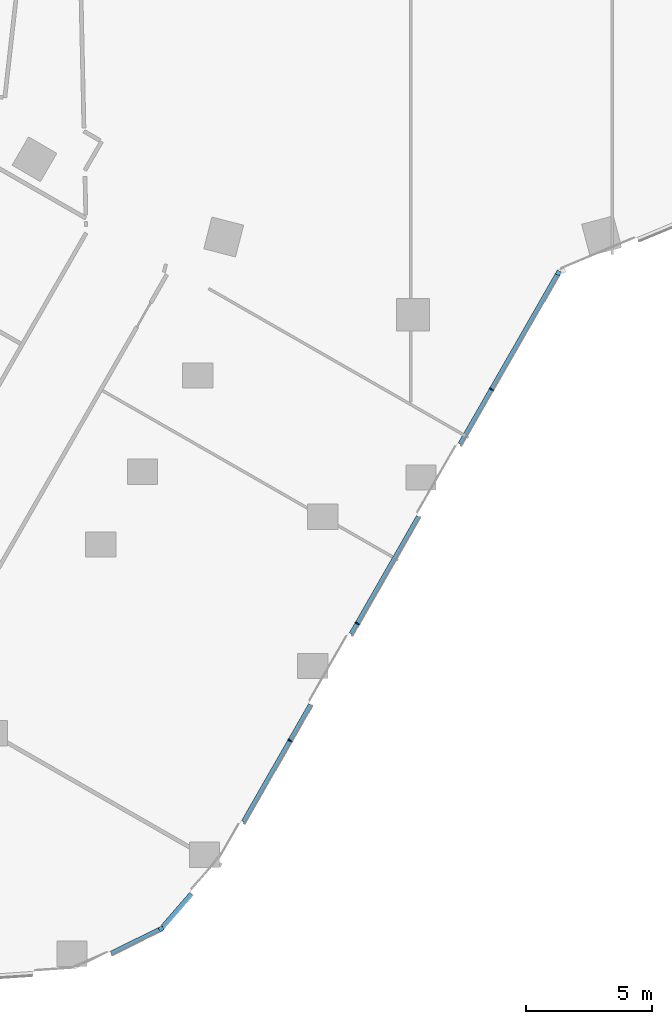
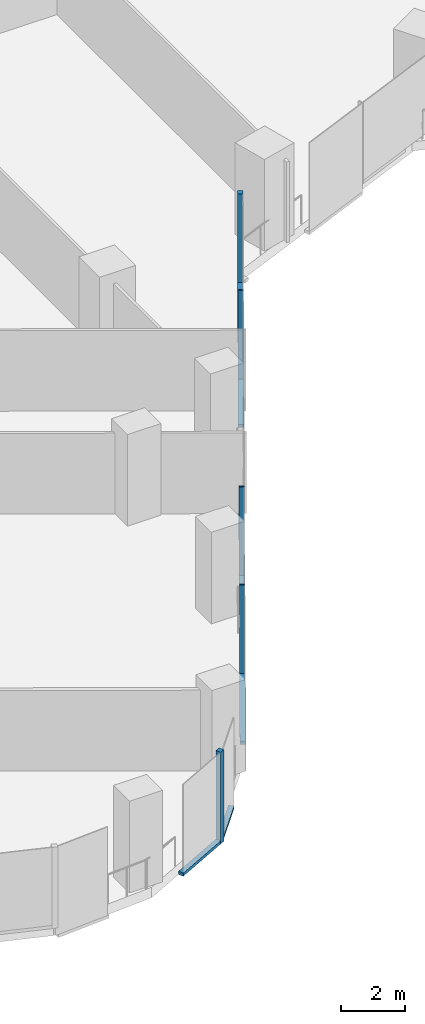
# One storey, part 4 of 34: 10 members, 3 elements without a shape of their own.
"""IFC4 building model written with IfcOpenShell, lengths in metres."""

from ifc_helpers import new_model, si_unit, direction, frame, origin, origin_2d, place, context, subcontext, project, spatial, rectangle, extrude, material, material_profile, profile_set, type_object, element, aggregate, save


model = new_model("IFC4")

# Units and contexts
model_context = context("Model", 3, precision=1e-05, world=origin(), true_north=direction((0.0, 1.0)))
body_context = subcontext(model_context, "Body", "Model", "MODEL_VIEW")
ifc_project = project(units=[si_unit("LENGTHUNIT", "METRE"), si_unit("AREAUNIT", "SQUARE_METRE"), si_unit("VOLUMEUNIT", "CUBIC_METRE"), si_unit("PLANEANGLEUNIT", "RADIAN"), si_unit("MASSUNIT", "GRAM", prefix="KILO")], contexts=[model_context])

# Site, building, storey
site_placement = place(None, origin())
site = spatial("IfcSite", under=ifc_project, at=site_placement, CompositionType="ELEMENT")
building_placement = place(site_placement, origin())
building = spatial("IfcBuilding", under=site, at=building_placement, Name="Orlundy Tower", CompositionType="ELEMENT")
storey_placement = place(building_placement, frame((0.0, 0.0, 102.199951171875)))
storey = spatial("IfcBuildingStorey", under=building, at=storey_placement, Name="L25", CompositionType="ELEMENT", Elevation=102.199951171875)

# Curtain wall, member
ifc_material_1 = material(Name="Aluminium bronze anodised", Category="aluminium")
curtain_wall_type = type_object("IfcCurtainWallType", Name="CW1 wall", PredefinedType="NOTDEFINED", material=ifc_material_1)
curtain_wall_1_placement = place(storey_placement, origin())
curtain_wall_1 = element("IfcCurtainWall", 1, at=curtain_wall_1_placement, inside=storey, type_object=curtain_wall_type, Name="CW1 run 02", PredefinedType="NOTDEFINED")
ifc_material_2 = material(Name="Aluminium bronze anodised", Category="aluminium")
ifc_material_profile_1 = material_profile(ifc_material_2, rectangle(XDim=0.179931640625, YDim=0.179931640625, at=origin_2d()), Name="CW1 corner post 180x180")
ifc_profile_set_1 = profile_set([ifc_material_profile_1], Name="Aluminium bronze anodised")
member_type_1 = type_object("IfcMemberType", Name="CW1 corner post 180x180", PredefinedType="MULLION", material=ifc_profile_set_1)
member_1_placement = place(storey_placement, frame((5.86279296875, -30.16015625, -0.39990234375), z_axis=(0.0, 0.0, 1.0), x_axis=(0.867479299789, -0.497473280125, 0.0)))
member_1 = element("IfcMember", 2, at=member_1_placement, type_object=member_type_1, Name="CW1 mullion 9", PredefinedType="MULLION", context=body_context, shape_type="SweptSolid", body=[
    extrude(rectangle(XDim=0.179931640625, YDim=0.179931640625, at=origin_2d()), origin(), (0.0, 0.0, 1.0), 3.5),
])

curtain_wall_2_placement = place(storey_placement, origin())
curtain_wall_2 = element("IfcCurtainWall", 3, at=curtain_wall_2_placement, inside=storey, type_object=curtain_wall_type, Name="CW1 run 04", PredefinedType="NOTDEFINED")
member_2_placement = place(storey_placement, frame((-9.90380859375, -56.189697265625, -0.39990234375), z_axis=(0.0, 0.0, 1.0), x_axis=(0.444838111689, -0.895610995013, 0.0)))
member_2 = element("IfcMember", 4, at=member_2_placement, type_object=member_type_1, Name="CW1 mullion 15", PredefinedType="MULLION", context=body_context, shape_type="SweptSolid", body=[
    extrude(rectangle(XDim=0.179931640625, YDim=0.179931640625, at=origin_2d()), origin(), (0.0, 0.0, 1.0), 3.5),
])

# Member
ifc_material_3 = material(Name="Aluminium bronze anodised", Category="aluminium")
ifc_material_profile_2 = material_profile(ifc_material_3, rectangle(XDim=0.179931640625, YDim=0.050048828125, at=origin_2d()), Name="CW1 mullion 50x180")
ifc_profile_set_2 = profile_set([ifc_material_profile_2], Name="Aluminium bronze anodised")
member_type_2 = type_object("IfcMemberType", Name="CW1 mullion 50x180", PredefinedType="MULLION", material=ifc_profile_set_2)
member_3_placement = place(storey_placement, frame((3.21337890625, -34.780517578125, -0.39990234375), z_axis=(0.0, 0.0, 1.0), x_axis=(0.867479299789, -0.497473280125, 0.0)))
member_3 = element("IfcMember", 5, at=member_3_placement, type_object=member_type_2, Name="CW1 mullion 10", PredefinedType="MULLION", context=body_context, shape_type="SweptSolid", body=[
    extrude(rectangle(XDim=0.179931640625, YDim=0.050048828125, at=origin_2d()), origin(), (0.0, 0.0, 1.0), 3.5),
])

member_4_placement = place(storey_placement, frame((-2.1162109375, -44.07421875, -0.39990234375), z_axis=(0.0, 0.0, 1.0), x_axis=(0.867479299789, -0.497473280125, 0.0)))
member_4 = element("IfcMember", 6, at=member_4_placement, type_object=member_type_2, Name="CW1 mullion 12", PredefinedType="MULLION", context=body_context, shape_type="SweptSolid", body=[
    extrude(rectangle(XDim=0.179931640625, YDim=0.050048828125, at=origin_2d()), origin(), (0.0, 0.0, 1.0), 3.5),
])

member_5_placement = place(storey_placement, frame((-4.781005859375, -48.720947265625, -0.39990234375), z_axis=(0.0, 0.0, 1.0), x_axis=(0.867479299789, -0.497473280125, 0.0)))
member_5 = element("IfcMember", 7, at=member_5_placement, type_object=member_type_2, Name="CW1 mullion 13", PredefinedType="MULLION", context=body_context, shape_type="SweptSolid", body=[
    extrude(rectangle(XDim=0.179931640625, YDim=0.050048828125, at=origin_2d()), origin(), (0.0, 0.0, 1.0), 3.5),
])

ifc_material_4 = material(Name="Aluminium bronze anodised", Category="aluminium")
ifc_material_profile_3 = material_profile(ifc_material_4, rectangle(XDim=0.179931640625, YDim=0.1201171875, at=origin_2d()), Name="CW1 transom 180x120")
ifc_profile_set_3 = profile_set([ifc_material_profile_3], Name="Aluminium bronze anodised")
member_type_3 = type_object("IfcMemberType", Name="CW1 transom 180x120", PredefinedType="USERDEFINED", material=ifc_profile_set_3)
member_6_placement = place(storey_placement, frame((5.818115234375, -30.23828125, -0.33984375), z_axis=(-0.497472355208, -0.8674798302, 0.0), x_axis=(0.8674798302, -0.497472355208, 0.0)))
member_6 = element("IfcMember", 8, at=member_6_placement, type_object=member_type_3, Name="CW1 transom", ObjectType="TRANSOM", PredefinedType="USERDEFINED", context=body_context, shape_type="SweptSolid", body=[
    extrude(rectangle(XDim=0.179931640625, YDim=0.1201171875, at=origin_2d()), origin(), (0.0, 0.0, 1.0), 7.74560546875),
])

member_7_placement = place(storey_placement, frame((0.317138671875, -39.830810546875, -0.33984375), z_axis=(-0.497489976365, -0.867469724784, 0.0), x_axis=(0.867469724784, -0.497489976365, 0.0)))
member_7 = element("IfcMember", 9, at=member_7_placement, type_object=member_type_3, Name="CW1 transom", ObjectType="TRANSOM", PredefinedType="USERDEFINED", context=body_context, shape_type="SweptSolid", body=[
    extrude(rectangle(XDim=0.179931640625, YDim=0.1201171875, at=origin_2d()), origin(), (0.0, 0.0, 1.0), 5.36865234375),
])

member_8_placement = place(storey_placement, frame((-3.964111328125, -47.29638671875, -0.33984375), z_axis=(-0.497496001574, -0.867466269326, 0.0), x_axis=(0.867466269326, -0.497496001574, 0.0)))
member_8 = element("IfcMember", 10, at=member_8_placement, type_object=member_type_3, Name="CW1 transom", ObjectType="TRANSOM", PredefinedType="USERDEFINED", context=body_context, shape_type="SweptSolid", body=[
    extrude(rectangle(XDim=0.179931640625, YDim=0.1201171875, at=origin_2d()), origin(), (0.0, 0.0, 1.0), 5.3642578125),
])

aggregate(curtain_wall_1, [member_1, member_3, member_4, member_5, member_6, member_7, member_8])

# Curtain wall, member
curtain_wall_3_placement = place(storey_placement, origin())
curtain_wall_3 = element("IfcCurtainWall", 11, at=curtain_wall_3_placement, inside=storey, type_object=curtain_wall_type, Name="CW1 run 03", PredefinedType="NOTDEFINED")
member_9_placement = place(storey_placement, frame((-8.6943359375, -54.80224609375, -0.33984375), z_axis=(-0.657135200432, -0.753772729908, 0.0), x_axis=(0.753772729908, -0.657135200432, 0.0)))
member_9 = element("IfcMember", 12, at=member_9_placement, type_object=member_type_3, Name="CW1 transom", ObjectType="TRANSOM", PredefinedType="USERDEFINED", context=body_context, shape_type="SweptSolid", body=[
    extrude(rectangle(XDim=0.179931640625, YDim=0.1201171875, at=origin_2d()), origin(), (0.0, 0.0, 1.0), 1.7431640625),
])
aggregate(curtain_wall_3, [member_9])

# Member
member_10_placement = place(storey_placement, frame((-9.984619140625, -56.229736328125, -0.33984375), z_axis=(-0.895600545086, -0.444859150341, 0.0), x_axis=(0.444859150341, -0.895600545086, 0.0)))
member_10 = element("IfcMember", 13, at=member_10_placement, type_object=member_type_3, Name="CW1 transom", ObjectType="TRANSOM", PredefinedType="USERDEFINED", context=body_context, shape_type="SweptSolid", body=[
    extrude(rectangle(XDim=0.179931640625, YDim=0.1201171875, at=origin_2d()), origin(), (0.0, 0.0, 1.0), 2.11669921875),
])

aggregate(curtain_wall_2, [member_2, member_10])

save(model, "model.ifc")
